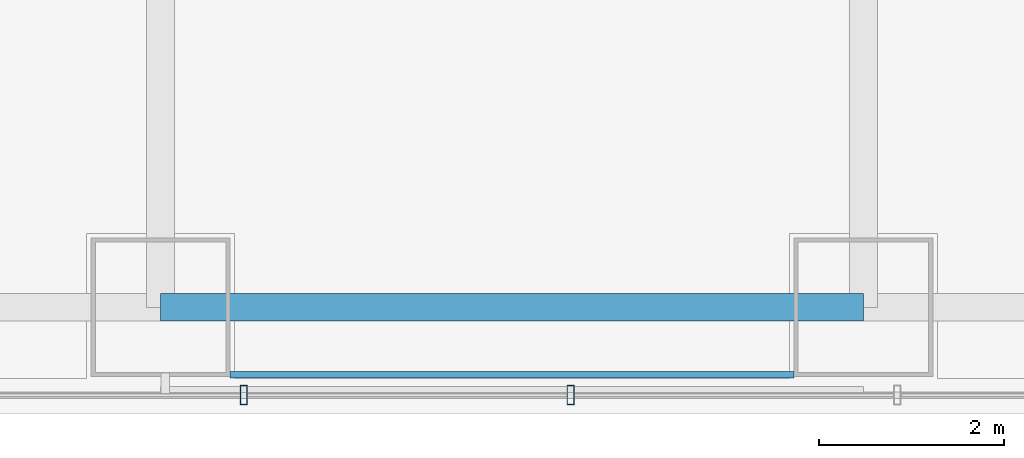
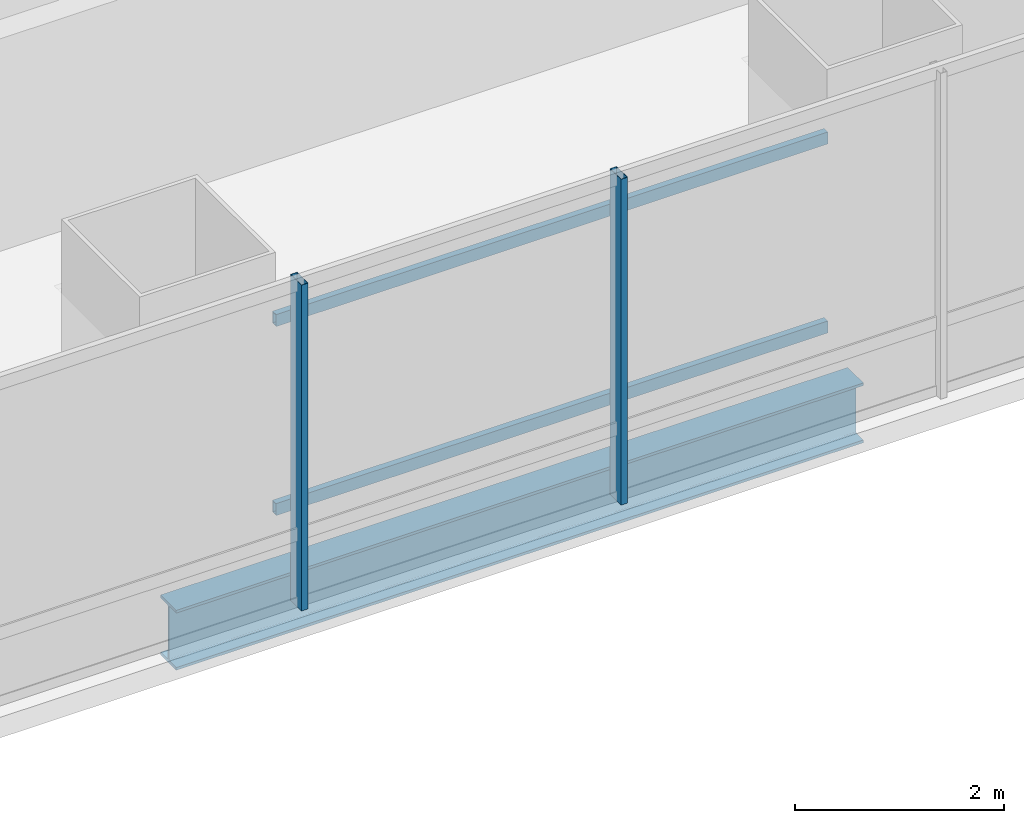
# One storey, part 5 of 34: 4 members, 1 beam, 1 element without a shape of its own.
"""IFC4 building model written with IfcOpenShell, lengths in metres."""

from ifc_helpers import new_model, si_unit, direction, frame, origin, origin_2d, place, context, subcontext, project, spatial, hollow_rectangle, i_section, extrude, material, material_profile, profile_set, type_object, element, aggregate, save


model = new_model("IFC4")

# Units and contexts
model_context = context("Model", 3, precision=1e-05, world=origin(), true_north=direction((0.0, 1.0)))
body_context = subcontext(model_context, "Body", "Model", "MODEL_VIEW")
ifc_project = project(units=[si_unit("LENGTHUNIT", "METRE"), si_unit("AREAUNIT", "SQUARE_METRE"), si_unit("VOLUMEUNIT", "CUBIC_METRE"), si_unit("PLANEANGLEUNIT", "RADIAN"), si_unit("MASSUNIT", "GRAM", prefix="KILO")], contexts=[model_context])

# Site, building, storey
site_placement = place(None, origin())
site = spatial("IfcSite", under=ifc_project, at=site_placement, CompositionType="ELEMENT")
building_placement = place(site_placement, origin())
building = spatial("IfcBuilding", under=site, at=building_placement, Name="Punatoya Terracotta Tower", CompositionType="ELEMENT")
storey_placement = place(building_placement, frame((0.0, 0.0, 105.14990234375)))
storey = spatial("IfcBuildingStorey", under=building, at=storey_placement, Name="L24", CompositionType="ELEMENT", Elevation=105.14990234375)

# Beam
ifc_material_1 = material(Name="Steel S355", Category="steel")
ifc_material_profile_1 = material_profile(ifc_material_1, i_section(OverallWidth=0.300048828125, OverallDepth=0.699951171875, WebThickness=0.01708984375, FlangeThickness=0.031982421875, FilletRadius=0.01806640625, at=origin_2d()))
ifc_profile_set_1 = profile_set([ifc_material_profile_1], Name="Steel S355")
beam_type = type_object("IfcBeamType", Name="BM-PRI-700", PredefinedType="BEAM", material=ifc_profile_set_1)
beam_placement = place(storey_placement, frame((-3.800048828125, -17.5, -0.58984375), z_axis=(1.0, 0.0, 0.0), x_axis=(0.0, 1.0, 0.0)))
element("IfcBeam", 1, at=beam_placement, inside=storey, type_object=beam_type, Name="BM-L24-RG-S2", PredefinedType="BEAM", context=body_context, shape_type="SweptSolid", body=[
    extrude(i_section(OverallWidth=0.300048828125, OverallDepth=0.699951171875, WebThickness=0.01708984375, FlangeThickness=0.031982421875, FilletRadius=0.01806640625, at=origin_2d()), origin(), (0.0, 0.0, 1.0), 7.60009765625),
])

# Curtain wall, members
ifc_material_2 = material(Name="Aluminium 6063-T6 + Double Low-E Glass", Category="aluminium")
curtain_wall_type = type_object("IfcCurtainWallType", Name="CW-M1", PredefinedType="NOTDEFINED", material=ifc_material_2)
curtain_wall_placement = place(storey_placement, origin())
curtain_wall = element("IfcCurtainWall", 2, at=curtain_wall_placement, inside=storey, type_object=curtain_wall_type, Name="L24 Curtain Wall CW-L24-S01-1", PredefinedType="NOTDEFINED")
ifc_material_3 = material(Name="Aluminium 6063-T6", Category="aluminium")
ifc_material_profile_2 = material_profile(ifc_material_3, hollow_rectangle(XDim=0.074951171875, YDim=0.2099609375, WallThickness=0.00439453125, at=origin_2d()))
ifc_profile_set_2 = profile_set([ifc_material_profile_2], Name="Aluminium 6063-T6")
member_type_1 = type_object("IfcMemberType", Name="CW-MUL-M1", PredefinedType="MULLION", material=ifc_profile_set_2)
member_1_placement = place(storey_placement, frame((-2.90087890625, -18.449951171875, 0.0), z_axis=(0.0, 0.0, 1.0), x_axis=(1.0, 0.0, 0.0)))
member_1 = element("IfcMember", 3, at=member_1_placement, type_object=member_type_1, Name="CW-L24-S01-1 Mullion 04", PredefinedType="MULLION", context=body_context, shape_type="SweptSolid", body=[
    extrude(hollow_rectangle(XDim=0.074951171875, YDim=0.2099609375, WallThickness=0.00439453125, at=origin_2d()), origin(), (0.0, 0.0, 1.0), 3.81005859375),
])
member_2_placement = place(storey_placement, frame((0.633056640625, -18.449951171875, 0.0), z_axis=(0.0, 0.0, 1.0), x_axis=(1.0, 0.0, 0.0)))
member_2 = element("IfcMember", 4, at=member_2_placement, type_object=member_type_1, Name="CW-L24-S01-1 Mullion 05", PredefinedType="MULLION", context=body_context, shape_type="SweptSolid", body=[
    extrude(hollow_rectangle(XDim=0.074951171875, YDim=0.2099609375, WallThickness=0.00439453125, at=origin_2d()), origin(), (0.0, 0.0, 1.0), 3.81005859375),
])
aggregate(curtain_wall, [member_1, member_2])

# Members
ifc_material_profile_3 = material_profile(ifc_material_1, hollow_rectangle(XDim=0.070068359375, YDim=0.139892578125, WallThickness=0.006103515625, at=origin_2d()))
ifc_profile_set_3 = profile_set([ifc_material_profile_3], Name="Steel S355")
member_type_2 = type_object("IfcMemberType", Name="MEM-BAG-RAIL", PredefinedType="USERDEFINED", material=ifc_profile_set_3)
for number, where, z_axis, x_axis, name in (
    (5, (-3.050537109375, -18.23193359375, 1.050048828125), (1.0, 0.0, 0.0), (0.0, 1.0, 0.0), "L24 Terracotta Baguette Carrier Rail BAG-L24-S-R1"),
    (6, (-3.050537109375, -18.23193359375, 3.260009765625), (1.0, 0.0, 0.0), (0.0, 1.0, 0.0), "L24 Terracotta Baguette Carrier Rail BAG-L24-S-R2"),
):
    element("IfcMember", number, at=place(storey_placement, frame(where, z_axis=z_axis, x_axis=x_axis)), inside=storey, type_object=member_type_2, Name=name, ObjectType="BAGUETTE", PredefinedType="USERDEFINED", context=body_context, shape_type="SweptSolid", body=[
        extrude(hollow_rectangle(XDim=0.070068359375, YDim=0.139892578125, WallThickness=0.006103515625, at=origin_2d()), origin(), (0.0, 0.0, 1.0), 6.10107421875),
    ])

save(model, "model.ifc")
